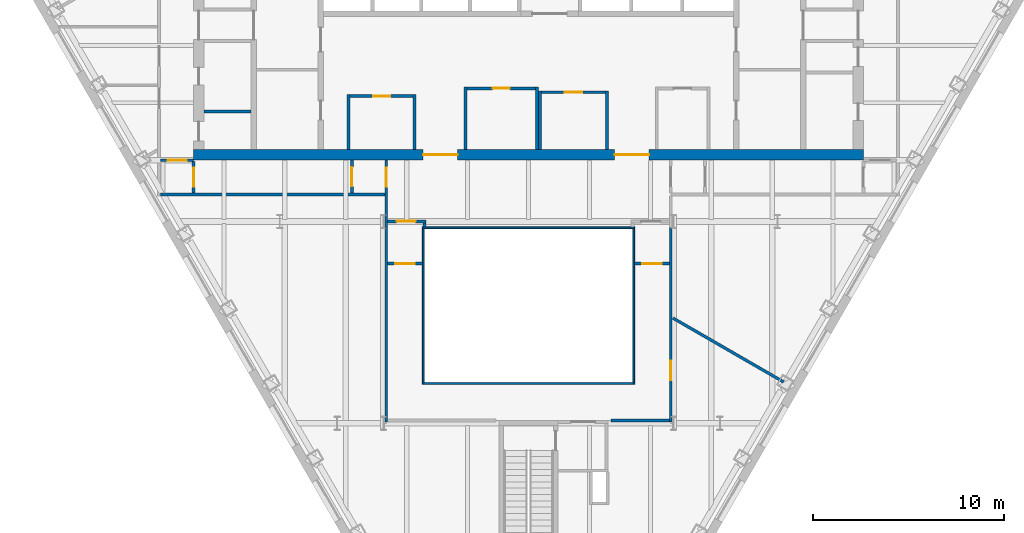
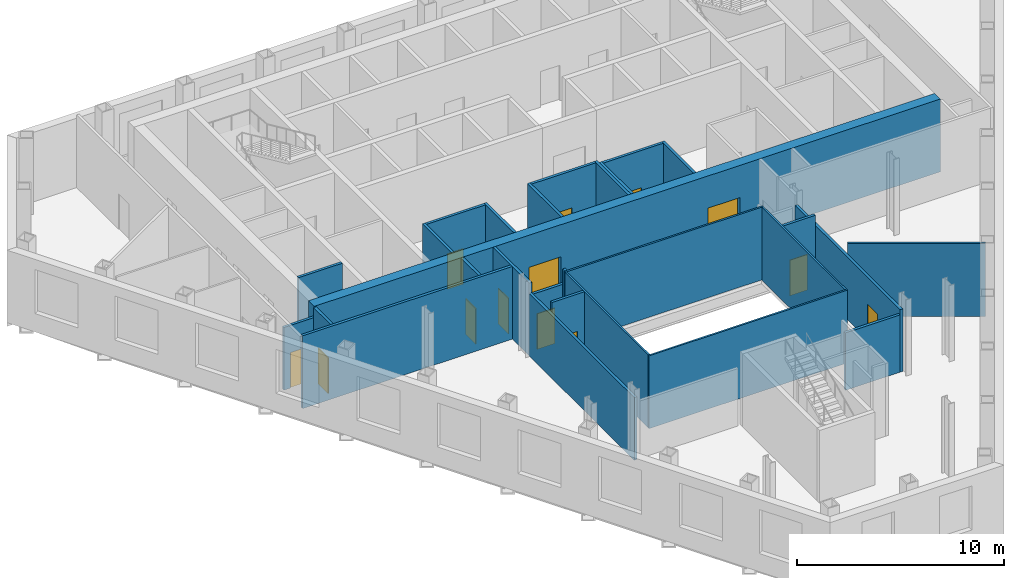
# One storey, part 5 of 12: 28 walls, 13 doors, 13 openings.
"""IFC4 building model written with IfcOpenShell, lengths in metres."""

from ifc_helpers import new_model, si_unit, direction, frame, frame_2d, origin, place, context, subcontext, project, spatial, rectangle, extrude, material, layer, layer_set, type_object, element, fill, save


model = new_model("IFC4")

# Units and contexts
model_context = context("Model", 3, precision=1e-05, world=origin(), true_north=direction((0.0, 1.0)))
body_context = subcontext(model_context, "Body", "Model", "MODEL_VIEW")
ifc_project = project(units=[si_unit("LENGTHUNIT", "METRE"), si_unit("AREAUNIT", "SQUARE_METRE"), si_unit("VOLUMEUNIT", "CUBIC_METRE"), si_unit("PLANEANGLEUNIT", "RADIAN"), si_unit("MASSUNIT", "GRAM", prefix="KILO")], contexts=[model_context])

# Site, building, storey
site_placement = place(None, origin())
site = spatial("IfcSite", under=ifc_project, at=site_placement, CompositionType="ELEMENT")
building_placement = place(site_placement, origin())
building = spatial("IfcBuilding", under=site, at=building_placement, Name="Njiva Tower", CompositionType="ELEMENT")
storey_placement = place(building_placement, frame((0.0, 0.0, 111.3)))
storey = spatial("IfcBuildingStorey", under=building, at=storey_placement, Name="L23", CompositionType="ELEMENT", Elevation=111.3)

# Walls
ifc_material_1 = material(Name="Blockwork", Category="masonry")
ifc_layer_1 = layer(ifc_material_1, 0.15)
ifc_layer_set_1 = layer_set([ifc_layer_1], Name="Blockwork")
wall_type_1 = type_object("IfcWallType", Name="WT1 Compartment partition 150", PredefinedType="PARTITIONING", material=ifc_layer_set_1)
wall_1_placement = place(storey_placement, frame((-16.95, 2.5485, 0.0), z_axis=(0.0, 0.0, 1.0), x_axis=(1.0, 0.0, 0.0)))
element("IfcWall", 1, at=wall_1_placement, inside=storey, type_object=wall_type_1, Name="Partition strip W00", PredefinedType="PARTITIONING", context=body_context, shape_type="SweptSolid", body=[
    extrude(rectangle(XDim=2.45, YDim=0.15, at=frame_2d((1.225, 0.0))), origin(), (0.0, 0.0, 1.0), 4.3),
])
for number, where, z_axis, x_axis, name in (
    (2, (-9.4, 0.55, 0.0), (0.0, 0.0, 1.0), (0.0, 1.0, 0.0), "Parcel room wall west"),
    (3, (-5.95, 0.55, 0.0), (0.0, 0.0, 1.0), (0.0, 1.0, 0.0), "Parcel room wall east"),
):
    element("IfcWall", number, at=place(storey_placement, frame(where, z_axis=z_axis, x_axis=x_axis)), inside=storey, type_object=wall_type_1, Name=name, PredefinedType="PARTITIONING", context=body_context, shape_type="SweptSolid", body=[
        extrude(rectangle(XDim=2.875, YDim=0.15, at=frame_2d((1.4375, 0.0))), origin(), (0.0, 0.0, 1.0), 4.3),
    ])

# Wall, opening, door
wall_2_placement = place(storey_placement, frame((-9.325, 3.35, 0.0), z_axis=(0.0, 0.0, 1.0), x_axis=(1.0, 0.0, 0.0)))
wall_2 = element("IfcWall", 4, at=wall_2_placement, inside=storey, type_object=wall_type_1, Name="Parcel room wall north", PredefinedType="PARTITIONING", context=body_context, shape_type="SweptSolid", body=[
    extrude(rectangle(XDim=3.3, YDim=0.15, at=frame_2d((1.65, 0.0))), origin(), (0.0, 0.0, 1.0), 4.3),
])
opening_1_placement = place(wall_2_placement, frame((1.2, 0.0, 0.0)))
opening_1 = element("IfcOpeningElement", 5, at=opening_1_placement, cuts=wall_2, Name="Opening S08-D932", PredefinedType="OPENING", context=body_context, shape_type="SweptSolid", body=[
    extrude(rectangle(XDim=0.9, YDim=2.1, at=frame_2d((0.45, 1.05))), frame((0.0, 0.085, 0.0), z_axis=(0.0, -1.0, 0.0), x_axis=(1.0, 0.0, 0.0)), (0.0, 0.0, 1.0), 0.17),
])
ifc_material_2 = material(Name="Steel fire door, painted", Category="steel")
door_type_1 = type_object("IfcDoorType", Name="D6 Fire-rated door 900x2100", OperationType="SINGLE_SWING_LEFT", PredefinedType="DOOR", material=ifc_material_2)
door_1_placement = place(opening_1_placement, origin())
door_1 = element("IfcDoor", 6, at=door_1_placement, inside=storey, type_object=door_type_1, Name="Parcel room door", OperationType="SINGLE_SWING_RIGHT", OverallHeight=2.1, OverallWidth=0.9, PredefinedType="DOOR", context=body_context, shape_type="SweptSolid", body=[
    extrude(rectangle(XDim=0.9, YDim=2.1, at=frame_2d((0.45, 1.05))), frame((0.0, 0.025, 0.0), z_axis=(0.0, -1.0, 0.0), x_axis=(1.0, 0.0, 0.0)), (0.0, 0.0, 1.0), 0.05),
])
fill(opening_1, door_1)

# Walls
for number, where, z_axis, x_axis, name in (
    (7, (-3.3, 0.55, 0.0), (0.0, 0.0, 1.0), (0.0, 1.0, 0.0), "Security office wall west"),
    (8, (0.45, 0.55, 0.0), (0.0, 0.0, 1.0), (0.0, 1.0, 0.0), "Security office wall east"),
):
    element("IfcWall", number, at=place(storey_placement, frame(where, z_axis=z_axis, x_axis=x_axis)), inside=storey, type_object=wall_type_1, Name=name, PredefinedType="PARTITIONING", context=body_context, shape_type="SweptSolid", body=[
        extrude(rectangle(XDim=3.275, YDim=0.15, at=frame_2d((1.6375, 0.0))), origin(), (0.0, 0.0, 1.0), 4.3),
    ])

# Wall, opening, door
wall_3_placement = place(storey_placement, frame((-3.225, 3.75, 0.0), z_axis=(0.0, 0.0, 1.0), x_axis=(1.0, 0.0, 0.0)))
wall_3 = element("IfcWall", 9, at=wall_3_placement, inside=storey, type_object=wall_type_1, Name="Security office wall north", PredefinedType="PARTITIONING", context=body_context, shape_type="SweptSolid", body=[
    extrude(rectangle(XDim=3.6, YDim=0.15, at=frame_2d((1.8, 0.0))), origin(), (0.0, 0.0, 1.0), 4.3),
])
opening_2_placement = place(wall_3_placement, frame((1.35, 0.0, 0.0)))
opening_2 = element("IfcOpeningElement", 10, at=opening_2_placement, cuts=wall_3, Name="Opening S08-D933", PredefinedType="OPENING", context=body_context, shape_type="SweptSolid", body=[
    extrude(rectangle(XDim=0.9, YDim=2.1, at=frame_2d((0.45, 1.05))), frame((0.0, 0.085, 0.0), z_axis=(0.0, -1.0, 0.0), x_axis=(1.0, 0.0, 0.0)), (0.0, 0.0, 1.0), 0.17),
])
door_2_placement = place(opening_2_placement, origin())
door_2 = element("IfcDoor", 11, at=door_2_placement, inside=storey, type_object=door_type_1, Name="Security office door", OperationType="SINGLE_SWING_LEFT", OverallHeight=2.1, OverallWidth=0.9, PredefinedType="DOOR", context=body_context, shape_type="SweptSolid", body=[
    extrude(rectangle(XDim=0.9, YDim=2.1, at=frame_2d((0.45, 1.05))), frame((0.0, 0.025, 0.0), z_axis=(0.0, -1.0, 0.0), x_axis=(1.0, 0.0, 0.0)), (0.0, 0.0, 1.0), 0.05),
])
fill(opening_2, door_2)

# Walls
for number, where, z_axis, x_axis, name in (
    (12, (0.6, 0.55, 0.0), (0.0, 0.0, 1.0), (0.0, 1.0, 0.0), "Concierge office wall west"),
    (13, (4.1, 0.55, 0.0), (0.0, 0.0, 1.0), (0.0, 1.0, 0.0), "Concierge office wall east"),
):
    element("IfcWall", number, at=place(storey_placement, frame(where, z_axis=z_axis, x_axis=x_axis)), inside=storey, type_object=wall_type_1, Name=name, PredefinedType="PARTITIONING", context=body_context, shape_type="SweptSolid", body=[
        extrude(rectangle(XDim=3.075, YDim=0.15, at=frame_2d((1.5375, 0.0))), origin(), (0.0, 0.0, 1.0), 4.3),
    ])

# Wall, opening, door
wall_4_placement = place(storey_placement, frame((0.675, 3.55, 0.0), z_axis=(0.0, 0.0, 1.0), x_axis=(1.0, 0.0, 0.0)))
wall_4 = element("IfcWall", 14, at=wall_4_placement, inside=storey, type_object=wall_type_1, Name="Concierge office wall north", PredefinedType="PARTITIONING", context=body_context, shape_type="SweptSolid", body=[
    extrude(rectangle(XDim=3.35, YDim=0.15, at=frame_2d((1.675, 0.0))), origin(), (0.0, 0.0, 1.0), 4.3),
])
opening_3_placement = place(wall_4_placement, frame((1.225, 0.0, 0.0)))
opening_3 = element("IfcOpeningElement", 15, at=opening_3_placement, cuts=wall_4, Name="Opening S08-D934", PredefinedType="OPENING", context=body_context, shape_type="SweptSolid", body=[
    extrude(rectangle(XDim=0.9, YDim=2.1, at=frame_2d((0.45, 1.05))), frame((0.0, 0.085, 0.0), z_axis=(0.0, -1.0, 0.0), x_axis=(1.0, 0.0, 0.0)), (0.0, 0.0, 1.0), 0.17),
])
door_3_placement = place(opening_3_placement, origin())
door_3 = element("IfcDoor", 16, at=door_3_placement, inside=storey, type_object=door_type_1, Name="Concierge office door", OperationType="SINGLE_SWING_LEFT", OverallHeight=2.1, OverallWidth=0.9, PredefinedType="DOOR", context=body_context, shape_type="SweptSolid", body=[
    extrude(rectangle(XDim=0.9, YDim=2.1, at=frame_2d((0.45, 1.05))), frame((0.0, 0.025, 0.0), z_axis=(0.0, -1.0, 0.0), x_axis=(1.0, 0.0, 0.0)), (0.0, 0.0, 1.0), 0.05),
])
fill(opening_3, door_3)

# Wall, openings, doors
ifc_material_3 = material(Name="Concrete C60/75", Category="concrete")
ifc_layer_2 = layer(ifc_material_3, 0.55)
ifc_layer_set_2 = layer_set([ifc_layer_2], Name="Concrete C60/75")
wall_type_2 = type_object("IfcWallType", Name="WT14 Core wall 550", PredefinedType="SHEAR", material=ifc_layer_set_2)
wall_5_placement = place(storey_placement, frame((-17.5, 0.275, 0.0), z_axis=(0.0, 0.0, 1.0), x_axis=(1.0, 0.0, 0.0)))
wall_5 = element("IfcWall", 17, at=wall_5_placement, inside=storey, type_object=wall_type_2, Name="Core wall south", PredefinedType="SHEAR", context=body_context, shape_type="SweptSolid", body=[
    extrude(rectangle(XDim=35.0, YDim=0.55, at=frame_2d((17.5, 0.0))), origin(), (0.0, 0.0, 1.0), 4.3),
])
opening_4_placement = place(wall_5_placement, frame((12.0, 0.0, 0.0)))
opening_4 = element("IfcOpeningElement", 18, at=opening_4_placement, cuts=wall_5, Name="Opening S08-D937", PredefinedType="OPENING", context=body_context, shape_type="SweptSolid", body=[
    extrude(rectangle(XDim=1.8, YDim=2.4, at=frame_2d((0.9, 1.2))), frame((0.0, 0.285, 0.0), z_axis=(0.0, -1.0, 0.0), x_axis=(1.0, 0.0, 0.0)), (0.0, 0.0, 1.0), 0.57),
])
opening_5_placement = place(wall_5_placement, frame((22.0, 0.0, 0.0)))
opening_5 = element("IfcOpeningElement", 19, at=opening_5_placement, cuts=wall_5, Name="Opening S08-D938", PredefinedType="OPENING", context=body_context, shape_type="SweptSolid", body=[
    extrude(rectangle(XDim=1.8, YDim=2.4, at=frame_2d((0.9, 1.2))), frame((0.0, 0.285, 0.0), z_axis=(0.0, -1.0, 0.0), x_axis=(1.0, 0.0, 0.0)), (0.0, 0.0, 1.0), 0.57),
])
ifc_material_4 = material(Name="Steel and glass door", Category="steel")
door_type_2 = type_object("IfcDoorType", Name="D3 Core entrance door 1800x2400", OperationType="DOUBLE_DOOR_SINGLE_SWING", PredefinedType="DOOR", material=ifc_material_4)
door_4_placement = place(opening_4_placement, origin())
door_4 = element("IfcDoor", 20, at=door_4_placement, inside=storey, type_object=door_type_2, Name="Core entrance door", OperationType="DOUBLE_DOOR_SINGLE_SWING", OverallHeight=2.4, OverallWidth=1.8, PredefinedType="DOOR", context=body_context, shape_type="SweptSolid", body=[
    extrude(rectangle(XDim=1.8, YDim=2.4, at=frame_2d((0.9, 1.2))), frame((0.0, 0.025, 0.0), z_axis=(0.0, -1.0, 0.0), x_axis=(1.0, 0.0, 0.0)), (0.0, 0.0, 1.0), 0.05),
])
fill(opening_4, door_4)
door_5_placement = place(opening_5_placement, origin())
door_5 = element("IfcDoor", 21, at=door_5_placement, inside=storey, type_object=door_type_2, Name="Core entrance door", OperationType="DOUBLE_DOOR_SINGLE_SWING", OverallHeight=2.4, OverallWidth=1.8, PredefinedType="DOOR", context=body_context, shape_type="SweptSolid", body=[
    extrude(rectangle(XDim=1.8, YDim=2.4, at=frame_2d((0.9, 1.2))), frame((0.0, 0.025, 0.0), z_axis=(0.0, -1.0, 0.0), x_axis=(1.0, 0.0, 0.0)), (0.0, 0.0, 1.0), 0.05),
])
fill(opening_5, door_5)

# Wall
ifc_material_5 = material(Name="Gypsum board on steel studs", Category="gypsum")
ifc_layer_3 = layer(ifc_material_5, 0.15)
ifc_layer_set_3 = layer_set([ifc_layer_3], Name="Gypsum board on steel studs")
wall_type_3 = type_object("IfcWallType", Name="WT21 Compartment wall 150", PredefinedType="PARTITIONING", material=ifc_layer_set_3)
wall_6_placement = place(storey_placement, frame((-19.225, -1.8, 0.0), z_axis=(0.0, 0.0, 1.0), x_axis=(1.0, 0.0, 0.0)))
element("IfcWall", 22, at=wall_6_placement, inside=storey, type_object=wall_type_3, Name="Partition S08-P006", PredefinedType="PARTITIONING", context=body_context, shape_type="SweptSolid", body=[
    extrude(rectangle(XDim=11.72, YDim=0.15, at=frame_2d((5.86, 0.0))), origin(), (0.0, 0.0, 1.0), 4.3),
])

# Wall, opening, door
wall_7_placement = place(storey_placement, frame((-19.225, 0.0, 0.0), z_axis=(0.0, 0.0, 1.0), x_axis=(1.0, 0.0, 0.0)))
wall_7 = element("IfcWall", 23, at=wall_7_placement, inside=storey, type_object=wall_type_3, Name="Partition S08-P007", PredefinedType="PARTITIONING", context=body_context, shape_type="SweptSolid", body=[
    extrude(rectangle(XDim=1.725, YDim=0.15, at=frame_2d((0.8625, 0.0))), origin(), (0.0, 0.0, 1.0), 3.7),
])
opening_6_placement = place(wall_7_placement, frame((0.363, 0.0, 0.0)))
opening_6 = element("IfcOpeningElement", 24, at=opening_6_placement, cuts=wall_7, Name="Opening S08-D005", PredefinedType="OPENING", context=body_context, shape_type="SweptSolid", body=[
    extrude(rectangle(XDim=1.0, YDim=2.1, at=frame_2d((0.5, 1.05))), frame((0.0, 0.085, 0.0), z_axis=(0.0, -1.0, 0.0), x_axis=(1.0, 0.0, 0.0)), (0.0, 0.0, 1.0), 0.17),
])
ifc_material_6 = material(Name="Steel fire door set", Category="steel")
door_type_3 = type_object("IfcDoorType", Name="D37 Fire door 1000x2100", OperationType="SINGLE_SWING_LEFT", PredefinedType="DOOR", material=ifc_material_6)
door_6_placement = place(opening_6_placement, origin())
door_6 = element("IfcDoor", 25, at=door_6_placement, inside=storey, type_object=door_type_3, Name="Door S08-D005", OperationType="SINGLE_SWING_LEFT", OverallHeight=2.1, OverallWidth=1.0, PredefinedType="DOOR", context=body_context, shape_type="SweptSolid", body=[
    extrude(rectangle(XDim=1.0, YDim=2.1, at=frame_2d((0.5, 1.05))), frame((0.0, 0.025, 0.0), z_axis=(0.0, -1.0, 0.0), x_axis=(1.0, 0.0, 0.0)), (0.0, 0.0, 1.0), 0.05),
])
fill(opening_6, door_6)

wall_8_placement = place(storey_placement, frame((-17.5, -1.725, 0.0), z_axis=(0.0, 0.0, 1.0), x_axis=(0.0, 1.0, 0.0)))
wall_8 = element("IfcWall", 26, at=wall_8_placement, inside=storey, type_object=wall_type_3, Name="Partition S08-P008", PredefinedType="PARTITIONING", context=body_context, shape_type="SweptSolid", body=[
    extrude(rectangle(XDim=1.65, YDim=0.15, at=frame_2d((0.825, 0.0))), origin(), (0.0, 0.0, 1.0), 4.3),
])
opening_7_placement = place(wall_8_placement, frame((0.325, 0.0, 0.0)))
opening_7 = element("IfcOpeningElement", 27, at=opening_7_placement, cuts=wall_8, Name="Opening S08-D006", PredefinedType="OPENING", context=body_context, shape_type="SweptSolid", body=[
    extrude(rectangle(XDim=1.0, YDim=2.1, at=frame_2d((0.5, 1.05))), frame((0.0, 0.085, 0.0), z_axis=(0.0, -1.0, 0.0), x_axis=(1.0, 0.0, 0.0)), (0.0, 0.0, 1.0), 0.17),
])
door_7_placement = place(opening_7_placement, origin())
door_7 = element("IfcDoor", 28, at=door_7_placement, inside=storey, type_object=door_type_3, Name="Door S08-D006", OperationType="SINGLE_SWING_LEFT", OverallHeight=2.1, OverallWidth=1.0, PredefinedType="DOOR", context=body_context, shape_type="SweptSolid", body=[
    extrude(rectangle(XDim=1.0, YDim=2.1, at=frame_2d((0.5, 1.05))), frame((0.0, 0.025, 0.0), z_axis=(0.0, -1.0, 0.0), x_axis=(1.0, 0.0, 0.0)), (0.0, 0.0, 1.0), 0.05),
])
fill(opening_7, door_7)

wall_9_placement = place(storey_placement, frame((-9.23, -1.725, 0.0), z_axis=(0.0, 0.0, 1.0), x_axis=(0.0, 1.0, 0.0)))
wall_9 = element("IfcWall", 29, at=wall_9_placement, inside=storey, type_object=wall_type_3, Name="Partition S08-P009", PredefinedType="PARTITIONING", context=body_context, shape_type="SweptSolid", body=[
    extrude(rectangle(XDim=1.725, YDim=0.15, at=frame_2d((0.8625, 0.0))), origin(), (0.0, 0.0, 1.0), 4.3),
])
opening_8_placement = place(wall_9_placement, frame((0.363, 0.0, 0.0)))
opening_8 = element("IfcOpeningElement", 30, at=opening_8_placement, cuts=wall_9, Name="Opening S08-D007", PredefinedType="OPENING", context=body_context, shape_type="SweptSolid", body=[
    extrude(rectangle(XDim=1.0, YDim=2.1, at=frame_2d((0.5, 1.05))), frame((0.0, 0.085, 0.0), z_axis=(0.0, -1.0, 0.0), x_axis=(1.0, 0.0, 0.0)), (0.0, 0.0, 1.0), 0.17),
])
door_8_placement = place(opening_8_placement, origin())
door_8 = element("IfcDoor", 31, at=door_8_placement, inside=storey, type_object=door_type_3, Name="Door S08-D007", OperationType="SINGLE_SWING_LEFT", OverallHeight=2.1, OverallWidth=1.0, PredefinedType="DOOR", context=body_context, shape_type="SweptSolid", body=[
    extrude(rectangle(XDim=1.0, YDim=2.1, at=frame_2d((0.5, 1.05))), frame((0.0, 0.025, 0.0), z_axis=(0.0, -1.0, 0.0), x_axis=(1.0, 0.0, 0.0)), (0.0, 0.0, 1.0), 0.05),
])
fill(opening_8, door_8)

# Wall
wall_10_placement = place(storey_placement, frame((-7.43, -13.675, 0.0), z_axis=(0.0, 0.0, 1.0), x_axis=(0.0, 1.0, 0.0)))
element("IfcWall", 32, at=wall_10_placement, inside=storey, type_object=wall_type_3, Name="Partition S08-P010", PredefinedType="PARTITIONING", context=body_context, shape_type="SweptSolid", body=[
    extrude(rectangle(XDim=10.167, YDim=0.15, at=frame_2d((5.0835, 0.0))), origin(), (0.0, 0.0, 1.0), 3.7),
])

# Wall, opening, door
wall_11_placement = place(storey_placement, frame((-7.43, -3.508, 0.0), z_axis=(0.0, 0.0, 1.0), x_axis=(0.0, 1.0, 0.0)))
wall_11 = element("IfcWall", 33, at=wall_11_placement, inside=storey, type_object=wall_type_3, Name="Partition S08-P010A", PredefinedType="PARTITIONING", context=body_context, shape_type="SweptSolid", body=[
    extrude(rectangle(XDim=3.508, YDim=0.15, at=frame_2d((1.754, 0.0))), origin(), (0.0, 0.0, 1.0), 4.3),
])
opening_9_placement = place(wall_11_placement, frame((2.108, 0.0, 0.0)))
opening_9 = element("IfcOpeningElement", 34, at=opening_9_placement, cuts=wall_11, Name="Opening S08-D008", PredefinedType="OPENING", context=body_context, shape_type="SweptSolid", body=[
    extrude(rectangle(XDim=1.0, YDim=2.1, at=frame_2d((0.5, 1.05))), frame((0.0, 0.085, 0.0), z_axis=(0.0, -1.0, 0.0), x_axis=(1.0, 0.0, 0.0)), (0.0, 0.0, 1.0), 0.17),
])
door_9_placement = place(opening_9_placement, origin())
door_9 = element("IfcDoor", 35, at=door_9_placement, inside=storey, type_object=door_type_3, Name="Door S08-D008", OperationType="SINGLE_SWING_LEFT", OverallHeight=2.1, OverallWidth=1.0, PredefinedType="DOOR", context=body_context, shape_type="SweptSolid", body=[
    extrude(rectangle(XDim=1.0, YDim=2.1, at=frame_2d((0.5, 1.05))), frame((0.0, 0.025, 0.0), z_axis=(0.0, -1.0, 0.0), x_axis=(1.0, 0.0, 0.0)), (0.0, 0.0, 1.0), 0.05),
])
fill(opening_9, door_9)

wall_12_placement = place(storey_placement, frame((-7.355, -5.4, 0.0), z_axis=(0.0, 0.0, 1.0), x_axis=(1.0, 0.0, 0.0)))
wall_12 = element("IfcWall", 36, at=wall_12_placement, inside=storey, type_object=wall_type_3, Name="Partition S08-P012", PredefinedType="PARTITIONING", context=body_context, shape_type="SweptSolid", body=[
    extrude(rectangle(XDim=1.805, YDim=0.15, at=frame_2d((0.9025, 0.0))), origin(), (0.0, 0.0, 1.0), 4.3),
])
opening_10_placement = place(wall_12_placement, frame((0.402, 0.0, 0.0)))
opening_10 = element("IfcOpeningElement", 37, at=opening_10_placement, cuts=wall_12, Name="Opening S08-D009", PredefinedType="OPENING", context=body_context, shape_type="SweptSolid", body=[
    extrude(rectangle(XDim=1.0, YDim=2.1, at=frame_2d((0.5, 1.05))), frame((0.0, 0.085, 0.0), z_axis=(0.0, -1.0, 0.0), x_axis=(1.0, 0.0, 0.0)), (0.0, 0.0, 1.0), 0.17),
])
door_10_placement = place(opening_10_placement, origin())
door_10 = element("IfcDoor", 38, at=door_10_placement, inside=storey, type_object=door_type_3, Name="Door S08-D009", OperationType="SINGLE_SWING_RIGHT", OverallHeight=2.1, OverallWidth=1.0, PredefinedType="DOOR", context=body_context, shape_type="SweptSolid", body=[
    extrude(rectangle(XDim=1.0, YDim=2.1, at=frame_2d((0.5, 1.05))), frame((0.0, 0.025, 0.0), z_axis=(0.0, -1.0, 0.0), x_axis=(1.0, 0.0, 0.0)), (0.0, 0.0, 1.0), 0.05),
])
fill(opening_10, door_10)

wall_13_placement = place(storey_placement, frame((-7.355, -3.2, 0.0), z_axis=(0.0, 0.0, 1.0), x_axis=(1.0, 0.0, 0.0)))
wall_13 = element("IfcWall", 39, at=wall_13_placement, inside=storey, type_object=wall_type_3, Name="Partition S08-P013", PredefinedType="PARTITIONING", context=body_context, shape_type="SweptSolid", body=[
    extrude(rectangle(XDim=2.0, YDim=0.15, at=frame_2d((1.0, 0.0))), origin(), (0.0, 0.0, 1.0), 3.39),
])
opening_11_placement = place(wall_13_placement, frame((0.462, 0.0, 0.0)))
opening_11 = element("IfcOpeningElement", 40, at=opening_11_placement, cuts=wall_13, Name="Opening S08-D010", PredefinedType="OPENING", context=body_context, shape_type="SweptSolid", body=[
    extrude(rectangle(XDim=1.0, YDim=2.1, at=frame_2d((0.5, 1.05))), frame((0.0, 0.085, 0.0), z_axis=(0.0, -1.0, 0.0), x_axis=(1.0, 0.0, 0.0)), (0.0, 0.0, 1.0), 0.17),
])
door_11_placement = place(opening_11_placement, origin())
door_11 = element("IfcDoor", 41, at=door_11_placement, inside=storey, type_object=door_type_3, Name="Door S08-D010", OperationType="SINGLE_SWING_RIGHT", OverallHeight=2.1, OverallWidth=1.0, PredefinedType="DOOR", context=body_context, shape_type="SweptSolid", body=[
    extrude(rectangle(XDim=1.0, YDim=2.1, at=frame_2d((0.5, 1.05))), frame((0.0, 0.025, 0.0), z_axis=(0.0, -1.0, 0.0), x_axis=(1.0, 0.0, 0.0)), (0.0, 0.0, 1.0), 0.05),
])
fill(opening_11, door_11)

# Walls
wall_14_placement = place(storey_placement, frame((-5.43, -3.48, 0.0), z_axis=(0.0, 0.0, 1.0), x_axis=(0.0, 1.0, 0.0)))
element("IfcWall", 42, at=wall_14_placement, inside=storey, type_object=wall_type_3, Name="Partition S08-P014", PredefinedType="PARTITIONING", context=body_context, shape_type="SweptSolid", body=[
    extrude(rectangle(XDim=0.205, YDim=0.15, at=frame_2d((0.1025, 0.0))), origin(), (0.0, 0.0, 1.0), 4.3),
])
wall_15_placement = place(storey_placement, frame((4.3, -13.6, 0.0), z_axis=(0.0, 0.0, 1.0), x_axis=(1.0, 0.0, 0.0)))
element("IfcWall", 43, at=wall_15_placement, inside=storey, type_object=wall_type_3, Name="Partition S08-P015", PredefinedType="PARTITIONING", context=body_context, shape_type="SweptSolid", body=[
    extrude(rectangle(XDim=3.055, YDim=0.15, at=frame_2d((1.5275, 0.0))), origin(), (0.0, 0.0, 1.0), 3.39),
])

# Wall, opening, door
wall_16_placement = place(storey_placement, frame((5.55, -5.4, 0.0), z_axis=(0.0, 0.0, 1.0), x_axis=(1.0, 0.0, 0.0)))
wall_16 = element("IfcWall", 44, at=wall_16_placement, inside=storey, type_object=wall_type_3, Name="Partition S08-P018", PredefinedType="PARTITIONING", context=body_context, shape_type="SweptSolid", body=[
    extrude(rectangle(XDim=1.805, YDim=0.15, at=frame_2d((0.9025, 0.0))), origin(), (0.0, 0.0, 1.0), 4.3),
])
opening_12_placement = place(wall_16_placement, frame((0.402, 0.0, 0.0)))
opening_12 = element("IfcOpeningElement", 45, at=opening_12_placement, cuts=wall_16, Name="Opening S08-D012", PredefinedType="OPENING", context=body_context, shape_type="SweptSolid", body=[
    extrude(rectangle(XDim=1.0, YDim=2.1, at=frame_2d((0.5, 1.05))), frame((0.0, 0.085, 0.0), z_axis=(0.0, -1.0, 0.0), x_axis=(1.0, 0.0, 0.0)), (0.0, 0.0, 1.0), 0.17),
])
door_12_placement = place(opening_12_placement, origin())
door_12 = element("IfcDoor", 46, at=door_12_placement, inside=storey, type_object=door_type_3, Name="Door S08-D012", OperationType="SINGLE_SWING_RIGHT", OverallHeight=2.1, OverallWidth=1.0, PredefinedType="DOOR", context=body_context, shape_type="SweptSolid", body=[
    extrude(rectangle(XDim=1.0, YDim=2.1, at=frame_2d((0.5, 1.05))), frame((0.0, 0.025, 0.0), z_axis=(0.0, -1.0, 0.0), x_axis=(1.0, 0.0, 0.0)), (0.0, 0.0, 1.0), 0.05),
])
fill(opening_12, door_12)

wall_17_placement = place(storey_placement, frame((7.43, -13.675, 0.0), z_axis=(0.0, 0.0, 1.0), x_axis=(0.0, 1.0, 0.0)))
wall_17 = element("IfcWall", 47, at=wall_17_placement, inside=storey, type_object=wall_type_3, Name="Partition S08-P019", PredefinedType="PARTITIONING", context=body_context, shape_type="SweptSolid", body=[
    extrude(rectangle(XDim=10.167, YDim=0.15, at=frame_2d((5.0835, 0.0))), origin(), (0.0, 0.0, 1.0), 3.7),
])
opening_13_placement = place(wall_17_placement, frame((2.183, 0.0, 0.0)))
opening_13 = element("IfcOpeningElement", 48, at=opening_13_placement, cuts=wall_17, Name="Opening S08-D013", PredefinedType="OPENING", context=body_context, shape_type="SweptSolid", body=[
    extrude(rectangle(XDim=1.0, YDim=2.1, at=frame_2d((0.5, 1.05))), frame((0.0, 0.085, 0.0), z_axis=(0.0, -1.0, 0.0), x_axis=(1.0, 0.0, 0.0)), (0.0, 0.0, 1.0), 0.17),
])
door_13_placement = place(opening_13_placement, origin())
door_13 = element("IfcDoor", 49, at=door_13_placement, inside=storey, type_object=door_type_3, Name="Door S08-D013", OperationType="SINGLE_SWING_LEFT", OverallHeight=2.1, OverallWidth=1.0, PredefinedType="DOOR", context=body_context, shape_type="SweptSolid", body=[
    extrude(rectangle(XDim=1.0, YDim=2.1, at=frame_2d((0.5, 1.05))), frame((0.0, 0.025, 0.0), z_axis=(0.0, -1.0, 0.0), x_axis=(1.0, 0.0, 0.0)), (0.0, 0.0, 1.0), 0.05),
])
fill(opening_13, door_13)

# Walls
wall_18_placement = place(storey_placement, frame((7.542, -8.247, 0.0), z_axis=(0.0, 0.0, 1.0), x_axis=(0.866078355221, -0.499908274205, 0.0)))
element("IfcWall", 50, at=wall_18_placement, inside=storey, type_object=wall_type_3, Name="Partition S08-P022", PredefinedType="PARTITIONING", context=body_context, shape_type="SweptSolid", body=[
    extrude(rectangle(XDim=6.6772, YDim=0.15, at=frame_2d((3.3386, 0.0))), origin(), (0.0, 0.0, 1.0), 4.3),
])
ifc_material_7 = material(Name="Fire-resisting glazing EI 90", Category="glass")
ifc_layer_4 = layer(ifc_material_7, 0.1)
ifc_layer_set_4 = layer_set([ifc_layer_4], Name="Fire-resisting glazing EI 90")
wall_type_4 = type_object("IfcWallType", Name="WT95 Fire-resisting glazed screen EI 90", PredefinedType="PARTITIONING", material=ifc_layer_set_4)
wall_19_placement = place(storey_placement, frame((-5.55, -11.67, 0.0), z_axis=(0.0, 0.0, 1.0), x_axis=(1.0, 0.0, 0.0)))
element("IfcWall", 51, at=wall_19_placement, inside=storey, type_object=wall_type_4, Name="Atrium fire screen south", PredefinedType="PARTITIONING", context=body_context, shape_type="SweptSolid", body=[
    extrude(rectangle(XDim=11.1, YDim=0.1, at=frame_2d((5.55, 0.0))), origin(), (0.0, 0.0, 1.0), 4.3),
])
wall_20_placement = place(storey_placement, frame((5.5, -11.62, 0.0), z_axis=(0.0, 0.0, 1.0), x_axis=(0.0, 1.0, 0.0)))
element("IfcWall", 52, at=wall_20_placement, inside=storey, type_object=wall_type_4, Name="Atrium fire screen east", PredefinedType="PARTITIONING", context=body_context, shape_type="SweptSolid", body=[
    extrude(rectangle(XDim=8.04, YDim=0.1, at=frame_2d((4.02, 0.0))), origin(), (0.0, 0.0, 1.0), 4.3),
])
wall_21_placement = place(storey_placement, frame((5.55, -3.53, 0.0), z_axis=(0.0, 0.0, 1.0), x_axis=(-1.0, 0.0, 0.0)))
element("IfcWall", 53, at=wall_21_placement, inside=storey, type_object=wall_type_4, Name="Atrium fire screen north", PredefinedType="PARTITIONING", context=body_context, shape_type="SweptSolid", body=[
    extrude(rectangle(XDim=11.1, YDim=0.1, at=frame_2d((5.55, 0.0))), origin(), (0.0, 0.0, 1.0), 4.3),
])
wall_22_placement = place(storey_placement, frame((-5.5, -3.58, 0.0), z_axis=(0.0, 0.0, 1.0), x_axis=(0.0, -1.0, 0.0)))
element("IfcWall", 54, at=wall_22_placement, inside=storey, type_object=wall_type_4, Name="Atrium fire screen west", PredefinedType="PARTITIONING", context=body_context, shape_type="SweptSolid", body=[
    extrude(rectangle(XDim=8.04, YDim=0.1, at=frame_2d((4.02, 0.0))), origin(), (0.0, 0.0, 1.0), 4.3),
])

save(model, "model.ifc")
